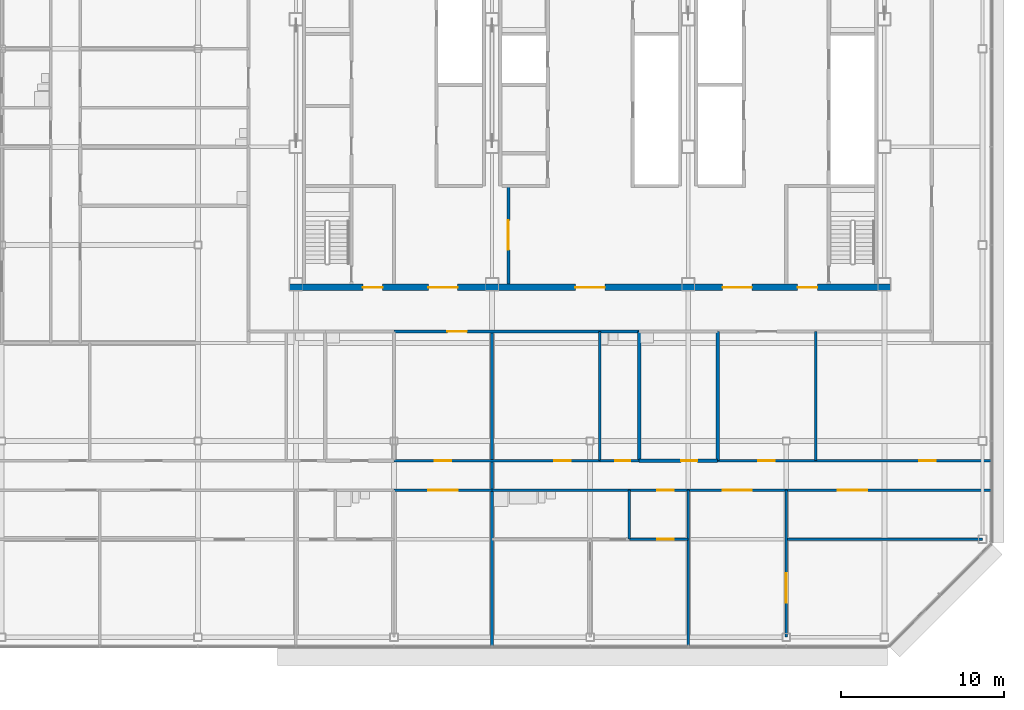
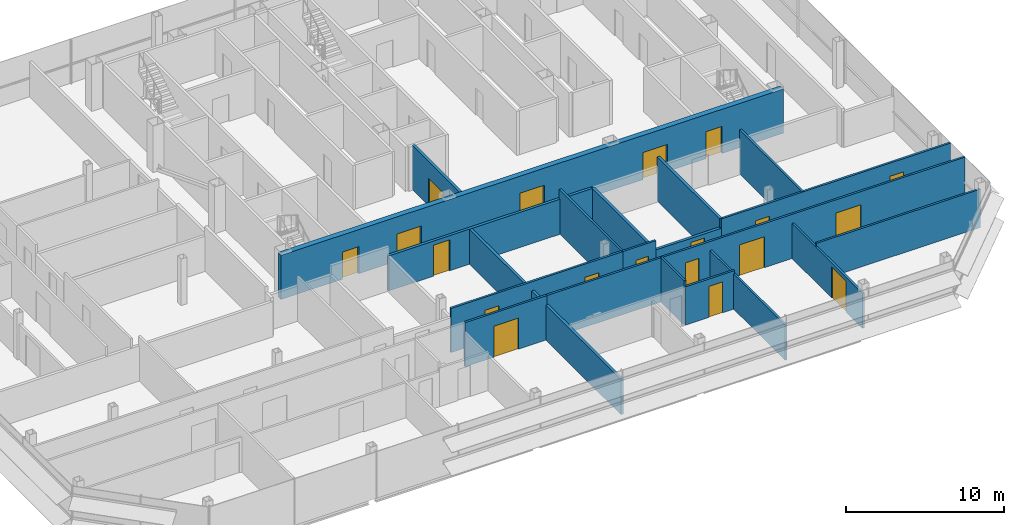
# One storey, part 22 of 27: 20 walls, 19 doors, 19 openings.
"""IFC4 building model written with IfcOpenShell, lengths in metres."""

import ifcopenshell
import ifcopenshell.guid

model = None  # the IFC model being written
_history = None  # IfcOwnerHistory: only IFC2X3 demands one
_inside = {}  # id of a spatial element -> (the spatial element, [elements in it])
_under = {}  # id of a project, library or spatial element -> (it, [spatial elements below it])
_declared = {}  # id of a project -> (the project, [libraries it declares])
_typed = {}  # id of a type object -> (the type object, [elements of that type])
_made_of = {}  # id of a material, layer set ... -> (it, [elements and type objects made of it])


def new_model(schema):
    """Start an empty IFC model of exactly this schema.

    Asked for "IFC4X3", IfcOpenShell would pick the latest addendum, in which some entities
    have other attributes; the version numbers below select the first issue.
    IFC2X3 requires an IfcOwnerHistory on every rooted entity: one is made here for all.
    """
    global model, _history
    if schema == "IFC4X3":
        model = ifcopenshell.file(schema_version=(4, 3, 0, 0))
    else:
        model = ifcopenshell.file(schema=schema)
    _inside.clear()
    _under.clear()
    _declared.clear()
    _typed.clear()
    _made_of.clear()
    _history = None
    if model.schema == "IFC2X3":
        org = make("IfcOrganization", Name="unknown")
        user = make(
            "IfcPersonAndOrganization",
            ThePerson=make("IfcPerson", FamilyName="unknown"),
            TheOrganization=org,
        )
        app = make(
            "IfcApplication",
            ApplicationDeveloper=org,
            Version="unknown",
            ApplicationFullName="unknown",
            ApplicationIdentifier="unknown",
        )
        _history = make(
            "IfcOwnerHistory",
            OwningUser=user,
            OwningApplication=app,
            ChangeAction="ADDED",
            CreationDate=0,
        )
    return model


def make(cls, **values):
    """One entity of the class cls with the attributes given. An attribute that is None is left unset."""
    return model.create_entity(
        cls, **{name: value for name, value in values.items() if value is not None}
    )


def rooted(cls, **values):
    """An entity with a GlobalId (a new one), such as an element, a storey or a relation."""
    return make(cls, GlobalId=ifcopenshell.guid.new(), OwnerHistory=_history, **values)


def si_unit(unit_type, name, prefix=None):
    """IfcSIUnit, for example si_unit("LENGTHUNIT", "METRE", prefix="MILLI")."""
    return make("IfcSIUnit", UnitType=unit_type, Prefix=prefix, Name=name)


def assignment(units):
    """IfcUnitAssignment: the units of a project."""
    return None if units is None else make("IfcUnitAssignment", Units=units)


def point(xyz):
    """IfcCartesianPoint."""
    return None if xyz is None else make("IfcCartesianPoint", Coordinates=xyz)


def direction(xyz):
    """IfcDirection."""
    return None if xyz is None else make("IfcDirection", DirectionRatios=xyz)


def frame(location, z_axis=None, x_axis=None):
    """IfcAxis2Placement3D, a coordinate frame: its origin and axes. An axis left out is left unset."""
    return make(
        "IfcAxis2Placement3D",
        Location=point(location),
        Axis=direction(z_axis),
        RefDirection=direction(x_axis),
    )


def frame_2d(location, x_axis=None):
    """IfcAxis2Placement2D, a coordinate frame in the plane: its origin and x axis."""
    return make(
        "IfcAxis2Placement2D", Location=point(location), RefDirection=direction(x_axis)
    )


def origin():
    """The frame at (0, 0, 0) with its axes left unset."""
    return frame((0.0, 0.0, 0.0))


def place(relative_to, where):
    """IfcLocalPlacement: puts the frame where relative to a parent placement (None: the world)."""
    return make(
        "IfcLocalPlacement", PlacementRelTo=relative_to, RelativePlacement=where
    )


def context(
    kind, dimensions, precision=None, world=None, true_north=None, identifier=None
):
    """IfcGeometricRepresentationContext, for example the 3D "Model" context."""
    return make(
        "IfcGeometricRepresentationContext",
        ContextIdentifier=identifier,
        ContextType=kind,
        CoordinateSpaceDimension=dimensions,
        Precision=precision,
        WorldCoordinateSystem=world,
        TrueNorth=true_north,
    )


def subcontext(parent, identifier, kind, view, scale=None):
    """IfcGeometricRepresentationSubContext, for example "Body" below "Model"."""
    return make(
        "IfcGeometricRepresentationSubContext",
        ContextIdentifier=identifier,
        ContextType=kind,
        ParentContext=parent,
        TargetScale=scale,
        TargetView=view,
    )


def project(units=None, contexts=None):
    """IfcProject with its units and contexts."""
    return rooted(
        "IfcProject",
        Name="project",
        RepresentationContexts=contexts,
        UnitsInContext=assignment(units),
    )


def spatial(cls, under=None, at=None, **own):
    """A site, building, storey or space (cls), placed at a placement, below another one or the project."""
    s = rooted(cls, ObjectPlacement=at, **own)
    if under is not None:
        _under.setdefault(under.id(), (under, []))[1].append(s)
    return s


def profile(cls, at=None, kind="AREA", **sizes):
    """A parametric profile (cls). Its sizes go by their IFC names, for example OverallWidth=200.0."""
    return make(cls, ProfileType=kind, Position=at, **sizes)


def rectangle(**sizes):
    """IfcRectangleProfileDef."""
    return profile("IfcRectangleProfileDef", **sizes)


def extrude(swept, where, along, depth):
    """IfcExtrudedAreaSolid: the profile swept, set in the frame where, extruded along a direction by depth."""
    return make(
        "IfcExtrudedAreaSolid",
        SweptArea=swept,
        Position=where,
        ExtrudedDirection=direction(along),
        Depth=depth,
    )


def shape(context_of_items, identifier, shape_type, items):
    """IfcShapeRepresentation: the items that make up one representation, for example the "Body"."""
    return make(
        "IfcShapeRepresentation",
        ContextOfItems=context_of_items,
        RepresentationIdentifier=identifier,
        RepresentationType=shape_type,
        Items=items,
    )


def material(Name=None, Category=None):
    """IfcMaterial."""
    return make("IfcMaterial", Name=Name, Category=Category)


def layer(
    of_material, thickness, ventilated=None, Name=None, Category=None, Priority=None
):
    """IfcMaterialLayer: one layer of a wall or slab, of a material (None: an air gap)."""
    return make(
        "IfcMaterialLayer",
        Material=of_material,
        LayerThickness=thickness,
        IsVentilated=ventilated,
        Name=Name,
        Category=Category,
        Priority=Priority,
    )


def layer_set(layers, Name=None):
    """IfcMaterialLayerSet."""
    return make("IfcMaterialLayerSet", MaterialLayers=layers, LayerSetName=Name)


def made_of(thing, what):
    """Note that an element or type object is made of a material, layer set ...; save() writes the relation."""
    if what is not None:
        _made_of.setdefault(what.id(), (what, []))[1].append(thing)
    return thing


def type_object(cls, material=None, **own):
    """A type object (cls), such as IfcWallType, which elements share."""
    return made_of(rooted(cls, **own), material)


def element(
    cls,
    number,
    at=None,
    inside=None,
    cuts=None,
    type_object=None,
    material=None,
    context=None,
    identifier="Body",
    shape_type=None,
    held_by="IfcProductDefinitionShape",
    body=None,
    shapes=None,
    **own,
):
    """One element of the class cls, such as IfcWall. Its Tag is "e" and its number.

    at: its placement. inside: the storey or other place that contains it. cuts: it is an
    opening in that element (IfcRelVoidsElement). A single representation is given by context,
    identifier, shape_type and body (its items); several are given by shapes. held_by: the class
    of the entity that holds the representations. save() writes the other relations.
    """
    e = rooted(cls, Tag="e%d" % number, ObjectPlacement=at, **own)
    if body is not None:
        shapes = [shape(context, identifier, shape_type, body)]
    if shapes is not None:
        e.Representation = make(held_by, Representations=shapes)
    if inside is not None:
        _inside.setdefault(inside.id(), (inside, []))[1].append(e)
    if cuts is not None:
        rooted(
            "IfcRelVoidsElement", RelatingBuildingElement=cuts, RelatedOpeningElement=e
        )
    if type_object is not None:
        _typed.setdefault(type_object.id(), (type_object, []))[1].append(e)
    return made_of(e, material)


def fill(opening, filler):
    """IfcRelFillsElement: the door or window that sits in an opening."""
    return rooted(
        "IfcRelFillsElement",
        RelatingOpeningElement=opening,
        RelatedBuildingElement=filler,
    )


def aggregate(whole, parts):
    """IfcRelAggregates: a whole, such as a stair, and the parts it consists of."""
    return rooted("IfcRelAggregates", RelatingObject=whole, RelatedObjects=parts)


def save(model, path):
    """Write the relations noted so far, then the file.

    IfcRelAggregates (storeys below a building ...), IfcRelContainedInSpatialStructure (elements
    in a storey), IfcRelDefinesByType, IfcRelAssociatesMaterial and IfcRelDeclares: one each for
    every whole, place, type object, material and project.
    """
    for whole, parts in _under.values():
        aggregate(whole, parts)
    for where, things in _inside.values():
        rooted(
            "IfcRelContainedInSpatialStructure",
            RelatedElements=things,
            RelatingStructure=where,
        )
    for kind, things in _typed.values():
        rooted("IfcRelDefinesByType", RelatedObjects=things, RelatingType=kind)
    for what, things in _made_of.values():
        rooted("IfcRelAssociatesMaterial", RelatedObjects=things, RelatingMaterial=what)
    for by, libraries in _declared.values():
        rooted("IfcRelDeclares", RelatingContext=by, RelatedDefinitions=libraries)
    model.write(path)


model = new_model("IFC4")

# Units and contexts
model_context = context("Model", 3, precision=1e-05, world=origin(), true_north=direction((0.0, 1.0)))
body_context = subcontext(model_context, "Body", "Model", "MODEL_VIEW")
ifc_project = project(units=[si_unit("LENGTHUNIT", "METRE"), si_unit("AREAUNIT", "SQUARE_METRE"), si_unit("VOLUMEUNIT", "CUBIC_METRE"), si_unit("PLANEANGLEUNIT", "RADIAN"), si_unit("MASSUNIT", "GRAM", prefix="KILO")], contexts=[model_context])

# Site, building, storey
site_placement = place(None, origin())
site = spatial("IfcSite", under=ifc_project, at=site_placement, CompositionType="ELEMENT")
building_placement = place(site_placement, origin())
building = spatial("IfcBuilding", under=site, at=building_placement, Name="Sorahane Residences", CompositionType="ELEMENT")
storey_placement = place(building_placement, frame((0.0, 0.0, 323.199951171875)))
storey = spatial("IfcBuildingStorey", under=building, at=storey_placement, Name="L77", CompositionType="ELEMENT", Elevation=323.199951171875)

# Wall, opening, door
ifc_material_1 = material(Name="Concrete blockwork C20 wall", Category="masonry")
ifc_layer_1 = layer(ifc_material_1, 0.199951171875)
ifc_layer_set_1 = layer_set([ifc_layer_1], Name="Corridor wall 200 EI 120")
wall_type_1 = type_object("IfcWallType", Name="Corridor wall 200 EI 120", PredefinedType="SOLIDWALL", material=ifc_layer_set_1)
wall_1_placement = place(storey_placement, frame((12.0, 18.699951171875, 0.0), z_axis=(0.0, 0.0, 1.0), x_axis=(1.0, 0.0, 0.0)))
wall_1 = element("IfcWall", 1, at=wall_1_placement, inside=storey, type_object=wall_type_1, Name="L77 corridor wall", PredefinedType="SOLIDWALL", context=body_context, shape_type="SweptSolid", body=[
    extrude(rectangle(XDim=15.0, YDim=0.199951171875, at=frame_2d((7.5, 0.0))), origin(), (0.0, 0.0, 1.0), 2.719970703125),
])
opening_1_placement = place(wall_1_placement, frame((3.260009765625, 0.0, 0.0)))
opening_1 = element("IfcOpeningElement", 2, at=opening_1_placement, cuts=wall_1, Name="Opening L77-38", PredefinedType="OPENING", context=body_context, shape_type="SweptSolid", body=[
    extrude(rectangle(XDim=1.199951171875, YDim=2.39990234375, at=frame_2d((0.60009765625, 1.199951171875))), frame((0.0, 0.10986328125, 0.0), z_axis=(0.0, -1.0, 0.0), x_axis=(1.0, 0.0, 0.0)), (0.0, 0.0, 1.0), 0.219970703125),
])
ifc_material_2 = material(Name="Timber veneered fire door", Category="wood")
door_type_1 = type_object("IfcDoorType", Name="Flat entrance door 1200x2400 FD60", OperationType="NOTDEFINED", PredefinedType="DOOR", material=ifc_material_2)
door_1_placement = place(opening_1_placement, frame((1.199951171875, 0.0, 0.0), z_axis=(0.0, 0.0, 1.0), x_axis=(-1.0, 0.0, 0.0)))
door_1 = element("IfcDoor", 3, at=door_1_placement, inside=storey, type_object=door_type_1, Name="Flat entrance door L77-38", OperationType="SINGLE_SWING_LEFT", OverallHeight=2.39990234375, OverallWidth=1.199951171875, PredefinedType="DOOR", context=body_context, shape_type="SweptSolid", body=[
    extrude(rectangle(XDim=1.199951171875, YDim=2.39990234375, at=frame_2d((0.60009765625, 1.199951171875))), frame((0.0, 0.02490234375, 0.0), z_axis=(0.0, -1.0, 0.0), x_axis=(1.0, 0.0, 0.0)), (0.0, 0.0, 1.0), 0.050048828125),
])
fill(opening_1, door_1)

# Walls
ifc_material_3 = material(Name="Concrete blockwork C20 wall", Category="masonry")
ifc_layer_2 = layer(ifc_material_3, 0.199951171875)
ifc_layer_set_2 = layer_set([ifc_layer_2], Name="Kitchen wall 200 EI 180")
wall_type_2 = type_object("IfcWallType", Name="Kitchen wall 200 EI 180", PredefinedType="SOLIDWALL", material=ifc_layer_set_2)
wall_2_placement = place(storey_placement, frame((27.0, 10.800048828125, 0.0), z_axis=(0.0, 0.0, 1.0), x_axis=(0.0, 1.0, 0.0)))
element("IfcWall", 4, at=wall_2_placement, inside=storey, type_object=wall_type_2, Name="L77 kitchen wall", PredefinedType="SOLIDWALL", context=body_context, shape_type="SweptSolid", body=[
    extrude(rectangle(XDim=7.89990234375, YDim=0.199951171875, at=frame_2d((3.949951171875, 0.0))), origin(), (0.0, 0.0, 1.0), 2.719970703125),
])
wall_3_placement = place(storey_placement, frame((31.800048828125, 10.800048828125, 0.0), z_axis=(0.0, 0.0, 1.0), x_axis=(0.0, 1.0, 0.0)))
element("IfcWall", 5, at=wall_3_placement, inside=storey, type_object=wall_type_2, Name="L77 kitchen wall", PredefinedType="SOLIDWALL", context=body_context, shape_type="SweptSolid", body=[
    extrude(rectangle(XDim=7.89990234375, YDim=0.199951171875, at=frame_2d((3.949951171875, 0.0))), origin(), (0.0, 0.0, 1.0), 3.420166015625),
])

# Wall, opening, door
wall_4_placement = place(storey_placement, frame((27.0, 10.800048828125, 0.0), z_axis=(0.0, 0.0, 1.0), x_axis=(1.0, 0.0, 0.0)))
wall_4 = element("IfcWall", 6, at=wall_4_placement, inside=storey, type_object=wall_type_2, Name="L77 kitchen wall", PredefinedType="SOLIDWALL", context=body_context, shape_type="SweptSolid", body=[
    extrude(rectangle(XDim=4.800048828125, YDim=0.199951171875, at=frame_2d((2.39990234375, 0.0))), origin(), (0.0, 0.0, 1.0), 2.719970703125),
])
opening_2_placement = place(wall_4_placement, frame((2.56005859375, 0.0, 0.0)))
opening_2 = element("IfcOpeningElement", 7, at=opening_2_placement, cuts=wall_4, Name="Opening L77-17", PredefinedType="OPENING", context=body_context, shape_type="SweptSolid", body=[
    extrude(rectangle(XDim=1.0, YDim=2.39990234375, at=frame_2d((0.5, 1.199951171875))), frame((0.0, 0.10986328125, 0.0), z_axis=(0.0, -1.0, 0.0), x_axis=(1.0, 0.0, 0.0)), (0.0, 0.0, 1.0), 0.219970703125),
])
ifc_material_4 = material(Name="Steel", Category="steel")
door_type_2 = type_object("IfcDoorType", Name="Kitchen door 1000x2400 FD120", OperationType="NOTDEFINED", PredefinedType="DOOR", material=ifc_material_4)
door_2_placement = place(opening_2_placement, origin())
door_2 = element("IfcDoor", 8, at=door_2_placement, inside=storey, type_object=door_type_2, Name="Kitchen door L77-17", OperationType="SINGLE_SWING_LEFT", OverallHeight=2.39990234375, OverallWidth=1.0, PredefinedType="DOOR", context=body_context, shape_type="SweptSolid", body=[
    extrude(rectangle(XDim=1.0, YDim=2.39990234375, at=frame_2d((0.5, 1.199951171875))), frame((0.0, 0.02490234375, 0.0), z_axis=(0.0, -1.0, 0.0), x_axis=(1.0, 0.0, 0.0)), (0.0, 0.0, 1.0), 0.050048828125),
])
fill(opening_2, door_2)

# Wall
ifc_material_5 = material(Name="Gypsum board partition on steel studs", Category="steel")
ifc_layer_3 = layer(ifc_material_5, 0.14990234375)
ifc_layer_set_3 = layer_set([ifc_layer_3], Name="Partition 150 EI 90")
wall_type_3 = type_object("IfcWallType", Name="Partition 150 EI 90", PredefinedType="PARTITIONING", material=ifc_layer_set_3)
wall_5_placement = place(storey_placement, frame((30.0, -0.60009765625, 0.0), z_axis=(0.0, 0.0, 1.0), x_axis=(0.0, 1.0, 0.0)))
element("IfcWall", 9, at=wall_5_placement, inside=storey, type_object=wall_type_3, Name="L77 partition", PredefinedType="PARTITIONING", context=body_context, shape_type="SweptSolid", body=[
    extrude(rectangle(XDim=9.60009765625, YDim=0.14990234375, at=frame_2d((4.800048828125, 0.0))), origin(), (0.0, 0.0, 1.0), 2.719970703125),
])

# Wall, opening, door
wall_6_placement = place(storey_placement, frame((36.0, 0.0, 0.0), z_axis=(0.0, 0.0, 1.0), x_axis=(0.0, 1.0, 0.0)))
wall_6 = element("IfcWall", 10, at=wall_6_placement, inside=storey, type_object=wall_type_3, Name="L77 partition", PredefinedType="PARTITIONING", context=body_context, shape_type="SweptSolid", body=[
    extrude(rectangle(XDim=9.0, YDim=0.14990234375, at=frame_2d((4.5, 0.0))), origin(), (0.0, 0.0, 1.0), 2.719970703125),
])
opening_3_placement = place(wall_6_placement, frame((2.10009765625, 0.0, 0.0)))
opening_3 = element("IfcOpeningElement", 11, at=opening_3_placement, cuts=wall_6, Name="Opening L77-21", PredefinedType="OPENING", context=body_context, shape_type="SweptSolid", body=[
    extrude(rectangle(XDim=1.800048828125, YDim=2.39990234375, at=frame_2d((0.89990234375, 1.199951171875))), frame((0.0, 0.0849609375, 0.0), z_axis=(0.0, -1.0, 0.0), x_axis=(1.0, 0.0, 0.0)), (0.0, 0.0, 1.0), 0.169921875),
])
ifc_material_6 = material(Name="Timber veneered fire door", Category="wood")
door_type_3 = type_object("IfcDoorType", Name="Double door 1800x2400 FD30", OperationType="NOTDEFINED", PredefinedType="DOOR", material=ifc_material_6)
door_3_placement = place(opening_3_placement, frame((1.800048828125, 0.0, 0.0), z_axis=(0.0, 0.0, 1.0), x_axis=(-1.0, 0.0, 0.0)))
door_3 = element("IfcDoor", 12, at=door_3_placement, inside=storey, type_object=door_type_3, Name="Double door L77-21", OperationType="SINGLE_SWING_RIGHT", OverallHeight=2.39990234375, OverallWidth=1.800048828125, PredefinedType="DOOR", context=body_context, shape_type="SweptSolid", body=[
    extrude(rectangle(XDim=1.800048828125, YDim=2.39990234375, at=frame_2d((0.89990234375, 1.199951171875))), frame((0.0, 0.02490234375, 0.0), z_axis=(0.0, -1.0, 0.0), x_axis=(1.0, 0.0, 0.0)), (0.0, 0.0, 1.0), 0.050048828125),
])
fill(opening_3, door_3)

# Wall
wall_7_placement = place(storey_placement, frame((37.800048828125, 10.800048828125, 0.0), z_axis=(0.0, 0.0, 1.0), x_axis=(0.0, 1.0, 0.0)))
element("IfcWall", 13, at=wall_7_placement, inside=storey, type_object=wall_type_3, Name="L77 partition", PredefinedType="PARTITIONING", context=body_context, shape_type="SweptSolid", body=[
    extrude(rectangle(XDim=7.89990234375, YDim=0.14990234375, at=frame_2d((3.949951171875, 0.0))), origin(), (0.0, 0.0, 1.0), 3.420166015625),
])

# Wall, openings, doors
wall_8_placement = place(storey_placement, frame((12.0, 10.800048828125, 0.0), z_axis=(0.0, 0.0, 1.0), x_axis=(1.0, 0.0, 0.0)))
wall_8 = element("IfcWall", 14, at=wall_8_placement, inside=storey, type_object=wall_type_3, Name="L77 partition", PredefinedType="PARTITIONING", context=body_context, shape_type="SweptSolid", body=[
    extrude(rectangle(XDim=12.60009765625, YDim=0.14990234375, at=frame_2d((6.300048828125, 0.0))), origin(), (0.0, 0.0, 1.0), 3.420166015625),
])
opening_4_placement = place(wall_8_placement, frame((2.5, 0.0, 0.0)))
opening_4 = element("IfcOpeningElement", 15, at=opening_4_placement, cuts=wall_8, Name="Opening L77-01", PredefinedType="OPENING", context=body_context, shape_type="SweptSolid", body=[
    extrude(rectangle(XDim=1.0, YDim=2.39990234375, at=frame_2d((0.5, 1.199951171875))), frame((0.0, 0.0849609375, 0.0), z_axis=(0.0, -1.0, 0.0), x_axis=(1.0, 0.0, 0.0)), (0.0, 0.0, 1.0), 0.169921875),
])
opening_5_placement = place(wall_8_placement, frame((9.820068359375, 0.0, 0.0)))
opening_5 = element("IfcOpeningElement", 16, at=opening_5_placement, cuts=wall_8, Name="Opening L77-15", PredefinedType="OPENING", context=body_context, shape_type="SweptSolid", body=[
    extrude(rectangle(XDim=1.0, YDim=2.39990234375, at=frame_2d((0.5, 1.199951171875))), frame((0.0, 0.0849609375, 0.0), z_axis=(0.0, -1.0, 0.0), x_axis=(1.0, 0.0, 0.0)), (0.0, 0.0, 1.0), 0.169921875),
])
ifc_material_7 = material(Name="Timber veneered fire door", Category="wood")
door_type_4 = type_object("IfcDoorType", Name="Room door 1000x2400 FD30", OperationType="NOTDEFINED", PredefinedType="DOOR", material=ifc_material_7)
door_4_placement = place(opening_4_placement, frame((1.0, 0.0, 0.0), z_axis=(0.0, 0.0, 1.0), x_axis=(-1.0, 0.0, 0.0)))
door_4 = element("IfcDoor", 17, at=door_4_placement, inside=storey, type_object=door_type_4, Name="Room door L77-01", OperationType="SINGLE_SWING_LEFT", OverallHeight=2.39990234375, OverallWidth=1.0, PredefinedType="DOOR", context=body_context, shape_type="SweptSolid", body=[
    extrude(rectangle(XDim=1.0, YDim=2.39990234375, at=frame_2d((0.5, 1.199951171875))), frame((0.0, 0.02490234375, 0.0), z_axis=(0.0, -1.0, 0.0), x_axis=(1.0, 0.0, 0.0)), (0.0, 0.0, 1.0), 0.050048828125),
])
fill(opening_4, door_4)
door_5_placement = place(opening_5_placement, origin())
door_5 = element("IfcDoor", 18, at=door_5_placement, inside=storey, type_object=door_type_4, Name="Room door L77-15", OperationType="SINGLE_SWING_LEFT", OverallHeight=2.39990234375, OverallWidth=1.0, PredefinedType="DOOR", context=body_context, shape_type="SweptSolid", body=[
    extrude(rectangle(XDim=1.0, YDim=2.39990234375, at=frame_2d((0.5, 1.199951171875))), frame((0.0, 0.02490234375, 0.0), z_axis=(0.0, -1.0, 0.0), x_axis=(1.0, 0.0, 0.0)), (0.0, 0.0, 1.0), 0.050048828125),
])
fill(opening_5, door_5)

wall_9_placement = place(storey_placement, frame((31.800048828125, 10.800048828125, 0.0), z_axis=(0.0, 0.0, 1.0), x_axis=(1.0, 0.0, 0.0)))
wall_9 = element("IfcWall", 19, at=wall_9_placement, inside=storey, type_object=wall_type_3, Name="L77 partition", PredefinedType="PARTITIONING", context=body_context, shape_type="SweptSolid", body=[
    extrude(rectangle(XDim=16.800048828125, YDim=0.14990234375, at=frame_2d((8.39990234375, 0.0))), origin(), (0.0, 0.0, 1.0), 3.420166015625),
])
opening_6_placement = place(wall_9_placement, frame((2.5, 0.0, 0.0)))
opening_6 = element("IfcOpeningElement", 20, at=opening_6_placement, cuts=wall_9, Name="Opening L77-14", PredefinedType="OPENING", context=body_context, shape_type="SweptSolid", body=[
    extrude(rectangle(XDim=1.0, YDim=2.39990234375, at=frame_2d((0.5, 1.199951171875))), frame((0.0, 0.0849609375, 0.0), z_axis=(0.0, -1.0, 0.0), x_axis=(1.0, 0.0, 0.0)), (0.0, 0.0, 1.0), 0.169921875),
])
opening_7_placement = place(wall_9_placement, frame((12.340087890625, 0.0, 0.0)))
opening_7 = element("IfcOpeningElement", 21, at=opening_7_placement, cuts=wall_9, Name="Opening L77-18", PredefinedType="OPENING", context=body_context, shape_type="SweptSolid", body=[
    extrude(rectangle(XDim=1.0, YDim=2.39990234375, at=frame_2d((0.5, 1.199951171875))), frame((0.0, 0.0849609375, 0.0), z_axis=(0.0, -1.0, 0.0), x_axis=(1.0, 0.0, 0.0)), (0.0, 0.0, 1.0), 0.169921875),
])
door_6_placement = place(opening_6_placement, frame((1.0, 0.0, 0.0), z_axis=(0.0, 0.0, 1.0), x_axis=(-1.0, 0.0, 0.0)))
door_6 = element("IfcDoor", 22, at=door_6_placement, inside=storey, type_object=door_type_4, Name="Room door L77-14", OperationType="SINGLE_SWING_LEFT", OverallHeight=2.39990234375, OverallWidth=1.0, PredefinedType="DOOR", context=body_context, shape_type="SweptSolid", body=[
    extrude(rectangle(XDim=1.0, YDim=2.39990234375, at=frame_2d((0.5, 1.199951171875))), frame((0.0, 0.02490234375, 0.0), z_axis=(0.0, -1.0, 0.0), x_axis=(1.0, 0.0, 0.0)), (0.0, 0.0, 1.0), 0.050048828125),
])
fill(opening_6, door_6)
door_7_placement = place(opening_7_placement, origin())
door_7 = element("IfcDoor", 23, at=door_7_placement, inside=storey, type_object=door_type_4, Name="Room door L77-18", OperationType="SINGLE_SWING_RIGHT", OverallHeight=2.39990234375, OverallWidth=1.0, PredefinedType="DOOR", context=body_context, shape_type="SweptSolid", body=[
    extrude(rectangle(XDim=1.0, YDim=2.39990234375, at=frame_2d((0.5, 1.199951171875))), frame((0.0, 0.02490234375, 0.0), z_axis=(0.0, -1.0, 0.0), x_axis=(1.0, 0.0, 0.0)), (0.0, 0.0, 1.0), 0.050048828125),
])
fill(opening_7, door_7)

# Wall, opening, door
wall_10_placement = place(storey_placement, frame((26.39990234375, 6.0, 0.0), z_axis=(0.0, 0.0, 1.0), x_axis=(1.0, 0.0, 0.0)))
wall_10 = element("IfcWall", 24, at=wall_10_placement, inside=storey, type_object=wall_type_3, Name="L77 partition", PredefinedType="PARTITIONING", context=body_context, shape_type="SweptSolid", body=[
    extrude(rectangle(XDim=3.60009765625, YDim=0.14990234375, at=frame_2d((1.800048828125, 0.0))), origin(), (0.0, 0.0, 1.0), 2.969970703125),
])
opening_8_placement = place(wall_10_placement, frame((1.719970703125, 0.0, 0.0)))
opening_8 = element("IfcOpeningElement", 25, at=opening_8_placement, cuts=wall_10, Name="Opening L77-23", PredefinedType="OPENING", context=body_context, shape_type="SweptSolid", body=[
    extrude(rectangle(XDim=1.0, YDim=2.39990234375, at=frame_2d((0.5, 1.199951171875))), frame((0.0, 0.0849609375, 0.0), z_axis=(0.0, -1.0, 0.0), x_axis=(1.0, 0.0, 0.0)), (0.0, 0.0, 1.0), 0.169921875),
])
door_8_placement = place(opening_8_placement, frame((1.0, 0.0, 0.0), z_axis=(0.0, 0.0, 1.0), x_axis=(-1.0, 0.0, 0.0)))
door_8 = element("IfcDoor", 26, at=door_8_placement, inside=storey, type_object=door_type_4, Name="Room door L77-23", OperationType="SINGLE_SWING_LEFT", OverallHeight=2.39990234375, OverallWidth=1.0, PredefinedType="DOOR", context=body_context, shape_type="SweptSolid", body=[
    extrude(rectangle(XDim=1.0, YDim=2.39990234375, at=frame_2d((0.5, 1.199951171875))), frame((0.0, 0.02490234375, 0.0), z_axis=(0.0, -1.0, 0.0), x_axis=(1.0, 0.0, 0.0)), (0.0, 0.0, 1.0), 0.050048828125),
])
fill(opening_8, door_8)

# Wall
wall_11_placement = place(storey_placement, frame((36.0, 6.0, 0.0), z_axis=(0.0, 0.0, 1.0), x_axis=(1.0, 0.0, 0.0)))
element("IfcWall", 27, at=wall_11_placement, inside=storey, type_object=wall_type_3, Name="L77 partition", PredefinedType="PARTITIONING", context=body_context, shape_type="SweptSolid", body=[
    extrude(rectangle(XDim=12.0, YDim=0.14990234375, at=frame_2d((6.0, 0.0))), origin(), (0.0, 0.0, 1.0), 2.969970703125),
])

# Wall, opening, door
wall_12_placement = place(storey_placement, frame((12.0, 9.0, 0.0), z_axis=(0.0, 0.0, 1.0), x_axis=(1.0, 0.0, 0.0)))
wall_12 = element("IfcWall", 28, at=wall_12_placement, inside=storey, type_object=wall_type_3, Name="L77 partition", PredefinedType="PARTITIONING", context=body_context, shape_type="SweptSolid", body=[
    extrude(rectangle(XDim=6.0, YDim=0.14990234375, at=frame_2d((3.0, 0.0))), origin(), (0.0, 0.0, 1.0), 3.420166015625),
])
opening_9_placement = place(wall_12_placement, frame((2.10009765625, 0.0, 0.0)))
opening_9 = element("IfcOpeningElement", 29, at=opening_9_placement, cuts=wall_12, Name="Opening L77-09", PredefinedType="OPENING", context=body_context, shape_type="SweptSolid", body=[
    extrude(rectangle(XDim=1.800048828125, YDim=2.39990234375, at=frame_2d((0.89990234375, 1.199951171875))), frame((0.0, 0.0849609375, 0.0), z_axis=(0.0, -1.0, 0.0), x_axis=(1.0, 0.0, 0.0)), (0.0, 0.0, 1.0), 0.169921875),
])
door_9_placement = place(opening_9_placement, frame((1.800048828125, 0.0, 0.0), z_axis=(0.0, 0.0, 1.0), x_axis=(-1.0, 0.0, 0.0)))
door_9 = element("IfcDoor", 30, at=door_9_placement, inside=storey, type_object=door_type_3, Name="Double door L77-09", OperationType="SINGLE_SWING_RIGHT", OverallHeight=2.39990234375, OverallWidth=1.800048828125, PredefinedType="DOOR", context=body_context, shape_type="SweptSolid", body=[
    extrude(rectangle(XDim=1.800048828125, YDim=2.39990234375, at=frame_2d((0.89990234375, 1.199951171875))), frame((0.0, 0.02490234375, 0.0), z_axis=(0.0, -1.0, 0.0), x_axis=(1.0, 0.0, 0.0)), (0.0, 0.0, 1.0), 0.050048828125),
])
fill(opening_9, door_9)

# Wall, openings, doors
wall_13_placement = place(storey_placement, frame((26.39990234375, 9.0, 0.0), z_axis=(0.0, 0.0, 1.0), x_axis=(1.0, 0.0, 0.0)))
wall_13 = element("IfcWall", 31, at=wall_13_placement, inside=storey, type_object=wall_type_3, Name="L77 partition", PredefinedType="PARTITIONING", context=body_context, shape_type="SweptSolid", body=[
    extrude(rectangle(XDim=22.2001953125, YDim=0.14990234375, at=frame_2d((11.10009765625, 0.0))), origin(), (0.0, 0.0, 1.0), 3.420166015625),
])
opening_10_placement = place(wall_13_placement, frame((1.719970703125, 0.0, 0.0)))
opening_10 = element("IfcOpeningElement", 32, at=opening_10_placement, cuts=wall_13, Name="Opening L77-19", PredefinedType="OPENING", context=body_context, shape_type="SweptSolid", body=[
    extrude(rectangle(XDim=1.0, YDim=2.39990234375, at=frame_2d((0.5, 1.199951171875))), frame((0.0, 0.0849609375, 0.0), z_axis=(0.0, -1.0, 0.0), x_axis=(1.0, 0.0, 0.0)), (0.0, 0.0, 1.0), 0.169921875),
])
opening_11_placement = place(wall_13_placement, frame((5.699951171875, 0.0, 0.0)))
opening_11 = element("IfcOpeningElement", 33, at=opening_11_placement, cuts=wall_13, Name="Opening L77-20", PredefinedType="OPENING", context=body_context, shape_type="SweptSolid", body=[
    extrude(rectangle(XDim=1.800048828125, YDim=2.39990234375, at=frame_2d((0.89990234375, 1.199951171875))), frame((0.0, 0.0849609375, 0.0), z_axis=(0.0, -1.0, 0.0), x_axis=(1.0, 0.0, 0.0)), (0.0, 0.0, 1.0), 0.169921875),
])
opening_12_placement = place(wall_13_placement, frame((12.760009765625, 0.0, 0.0)))
opening_12 = element("IfcOpeningElement", 34, at=opening_12_placement, cuts=wall_13, Name="Opening L77-22", PredefinedType="OPENING", context=body_context, shape_type="SweptSolid", body=[
    extrude(rectangle(XDim=1.800048828125, YDim=2.39990234375, at=frame_2d((0.89990234375, 1.199951171875))), frame((0.0, 0.0849609375, 0.0), z_axis=(0.0, -1.0, 0.0), x_axis=(1.0, 0.0, 0.0)), (0.0, 0.0, 1.0), 0.169921875),
])
door_10_placement = place(opening_11_placement, frame((1.800048828125, 0.0, 0.0), z_axis=(0.0, 0.0, 1.0), x_axis=(-1.0, 0.0, 0.0)))
door_10 = element("IfcDoor", 35, at=door_10_placement, inside=storey, type_object=door_type_3, Name="Double door L77-20", OperationType="SINGLE_SWING_RIGHT", OverallHeight=2.39990234375, OverallWidth=1.800048828125, PredefinedType="DOOR", context=body_context, shape_type="SweptSolid", body=[
    extrude(rectangle(XDim=1.800048828125, YDim=2.39990234375, at=frame_2d((0.89990234375, 1.199951171875))), frame((0.0, 0.02490234375, 0.0), z_axis=(0.0, -1.0, 0.0), x_axis=(1.0, 0.0, 0.0)), (0.0, 0.0, 1.0), 0.050048828125),
])
fill(opening_11, door_10)
door_11_placement = place(opening_12_placement, frame((1.800048828125, 0.0, 0.0), z_axis=(0.0, 0.0, 1.0), x_axis=(-1.0, 0.0, 0.0)))
door_11 = element("IfcDoor", 36, at=door_11_placement, inside=storey, type_object=door_type_3, Name="Double door L77-22", OperationType="SINGLE_SWING_RIGHT", OverallHeight=2.39990234375, OverallWidth=1.800048828125, PredefinedType="DOOR", context=body_context, shape_type="SweptSolid", body=[
    extrude(rectangle(XDim=1.800048828125, YDim=2.39990234375, at=frame_2d((0.89990234375, 1.199951171875))), frame((0.0, 0.02490234375, 0.0), z_axis=(0.0, -1.0, 0.0), x_axis=(1.0, 0.0, 0.0)), (0.0, 0.0, 1.0), 0.050048828125),
])
fill(opening_12, door_11)
door_12_placement = place(opening_10_placement, frame((1.0, 0.0, 0.0), z_axis=(0.0, 0.0, 1.0), x_axis=(-1.0, 0.0, 0.0)))
door_12 = element("IfcDoor", 37, at=door_12_placement, inside=storey, type_object=door_type_4, Name="Room door L77-19", OperationType="SINGLE_SWING_LEFT", OverallHeight=2.39990234375, OverallWidth=1.0, PredefinedType="DOOR", context=body_context, shape_type="SweptSolid", body=[
    extrude(rectangle(XDim=1.0, YDim=2.39990234375, at=frame_2d((0.5, 1.199951171875))), frame((0.0, 0.02490234375, 0.0), z_axis=(0.0, -1.0, 0.0), x_axis=(1.0, 0.0, 0.0)), (0.0, 0.0, 1.0), 0.050048828125),
])
fill(opening_10, door_12)

# Wall
ifc_material_8 = material(Name="Concrete blockwork C20 wall", Category="masonry")
ifc_layer_4 = layer(ifc_material_8, 0.199951171875)
ifc_layer_set_4 = layer_set([ifc_layer_4], Name="Party wall 200 EI 120")
wall_type_4 = type_object("IfcWallType", Name="Party wall 200 EI 120", PredefinedType="SOLIDWALL", material=ifc_layer_set_4)
wall_14_placement = place(storey_placement, frame((18.0, -0.60009765625, 0.0), z_axis=(0.0, 0.0, 1.0), x_axis=(0.0, 1.0, 0.0)))
element("IfcWall", 38, at=wall_14_placement, inside=storey, type_object=wall_type_4, Name="L77 party wall", PredefinedType="SOLIDWALL", context=body_context, shape_type="SweptSolid", body=[
    extrude(rectangle(XDim=19.300048828125, YDim=0.199951171875, at=frame_2d((9.64990234375, 0.0))), origin(), (0.0, 0.0, 1.0), 2.719970703125),
])

# Wall, opening, door
ifc_material_9 = material(Name="Concrete C30", Category="concrete")
ifc_layer_5 = layer(ifc_material_9, 0.199951171875)
ifc_layer_set_5 = layer_set([ifc_layer_5], Name="Service room partition 200 EI 60")
wall_type_5 = type_object("IfcWallType", Name="Service room partition 200 EI 60", PredefinedType="PARTITIONING", material=ifc_layer_set_5)
wall_15_placement = place(storey_placement, frame((19.0, 21.60009765625, 0.0), z_axis=(0.0, 0.0, 1.0), x_axis=(0.0, 1.0, 0.0)))
wall_15 = element("IfcWall", 39, at=wall_15_placement, inside=storey, type_object=wall_type_5, Name="L77 service room wall", PredefinedType="PARTITIONING", context=body_context, shape_type="SweptSolid", body=[
    extrude(rectangle(XDim=6.0, YDim=0.199951171875, at=frame_2d((3.0, 0.0))), origin(), (0.0, 0.0, 1.0), 3.420166015625),
])
opening_13_placement = place(wall_15_placement, frame((2.10009765625, 0.0, 0.0)))
opening_13 = element("IfcOpeningElement", 40, at=opening_13_placement, cuts=wall_15, Name="Opening L77-C02", PredefinedType="OPENING", context=body_context, shape_type="SweptSolid", body=[
    extrude(rectangle(XDim=1.800048828125, YDim=2.10009765625, at=frame_2d((0.89990234375, 1.050048828125))), frame((0.0, 0.10986328125, 0.0), z_axis=(0.0, -1.0, 0.0), x_axis=(1.0, 0.0, 0.0)), (0.0, 0.0, 1.0), 0.219970703125),
])
ifc_material_10 = material(Name="Steel", Category="steel")
door_type_5 = type_object("IfcDoorType", Name="Waiting hall door 1800x2100 FD60", OperationType="NOTDEFINED", PredefinedType="DOOR", material=ifc_material_10)
door_13_placement = place(opening_13_placement, origin())
door_13 = element("IfcDoor", 41, at=door_13_placement, inside=storey, type_object=door_type_5, Name="Waiting hall door Residents' waiting hall west L77", OperationType="SINGLE_SWING_LEFT", OverallHeight=2.10009765625, OverallWidth=1.800048828125, PredefinedType="DOOR", context=body_context, shape_type="SweptSolid", body=[
    extrude(rectangle(XDim=1.800048828125, YDim=2.10009765625, at=frame_2d((0.89990234375, 1.050048828125))), frame((0.0, 0.02490234375, 0.0), z_axis=(0.0, -1.0, 0.0), x_axis=(1.0, 0.0, 0.0)), (0.0, 0.0, 1.0), 0.050048828125),
])
fill(opening_13, door_13)

# Wall, openings, doors
ifc_material_11 = material(Name="Concrete C30", Category="concrete")
ifc_layer_6 = layer(ifc_material_11, 0.39990234375)
ifc_layer_set_6 = layer_set([ifc_layer_6], Name="Waiting hall wall 400 EI 120")
wall_type_6 = type_object("IfcWallType", Name="Waiting hall wall 400 EI 120", PredefinedType="SOLIDWALL", material=ifc_layer_set_6)
wall_16_placement = place(storey_placement, frame((5.60009765625, 21.39990234375, 0.0), z_axis=(0.0, 0.0, 1.0), x_axis=(1.0, 0.0, 0.0)))
wall_16 = element("IfcWall", 42, at=wall_16_placement, inside=storey, type_object=wall_type_6, Name="L77 waiting hall wall", PredefinedType="SOLIDWALL", context=body_context, shape_type="SweptSolid", body=[
    extrude(rectangle(XDim=36.7998046875, YDim=0.39990234375, at=frame_2d((18.39990234375, 0.0))), origin(), (0.0, 0.0, 1.0), 3.420166015625),
])
opening_14_placement = place(wall_16_placement, frame((8.5, 0.0, 0.0)))
opening_14 = element("IfcOpeningElement", 43, at=opening_14_placement, cuts=wall_16, Name="Opening L77-C01", PredefinedType="OPENING", context=body_context, shape_type="SweptSolid", body=[
    extrude(rectangle(XDim=1.800048828125, YDim=2.10009765625, at=frame_2d((0.89990234375, 1.050048828125))), frame((0.0, 0.2099609375, 0.0), z_axis=(0.0, -1.0, 0.0), x_axis=(1.0, 0.0, 0.0)), (0.0, 0.0, 1.0), 0.419921875),
])
opening_15_placement = place(wall_16_placement, frame((17.5, 0.0, 0.0)))
opening_15 = element("IfcOpeningElement", 44, at=opening_15_placement, cuts=wall_16, Name="Opening L77-C03", PredefinedType="OPENING", context=body_context, shape_type="SweptSolid", body=[
    extrude(rectangle(XDim=1.800048828125, YDim=2.10009765625, at=frame_2d((0.89990234375, 1.050048828125))), frame((0.0, 0.2099609375, 0.0), z_axis=(0.0, -1.0, 0.0), x_axis=(1.0, 0.0, 0.0)), (0.0, 0.0, 1.0), 0.419921875),
])
opening_16_placement = place(wall_16_placement, frame((26.5, 0.0, 0.0)))
opening_16 = element("IfcOpeningElement", 45, at=opening_16_placement, cuts=wall_16, Name="Opening L77-C04", PredefinedType="OPENING", context=body_context, shape_type="SweptSolid", body=[
    extrude(rectangle(XDim=1.800048828125, YDim=2.10009765625, at=frame_2d((0.89990234375, 1.050048828125))), frame((0.0, 0.2099609375, 0.0), z_axis=(0.0, -1.0, 0.0), x_axis=(1.0, 0.0, 0.0)), (0.0, 0.0, 1.0), 0.419921875),
])
opening_17_placement = place(wall_16_placement, frame((4.5, 0.0, 0.0)))
opening_17 = element("IfcOpeningElement", 46, at=opening_17_placement, cuts=wall_16, Name="Opening L77-C05", PredefinedType="OPENING", context=body_context, shape_type="SweptSolid", body=[
    extrude(rectangle(XDim=1.199951171875, YDim=2.10009765625, at=frame_2d((0.60009765625, 1.050048828125))), frame((0.0, 0.2099609375, 0.0), z_axis=(0.0, -1.0, 0.0), x_axis=(1.0, 0.0, 0.0)), (0.0, 0.0, 1.0), 0.419921875),
])
opening_18_placement = place(wall_16_placement, frame((31.10009765625, 0.0, 0.0)))
opening_18 = element("IfcOpeningElement", 47, at=opening_18_placement, cuts=wall_16, Name="Opening L77-C06", PredefinedType="OPENING", context=body_context, shape_type="SweptSolid", body=[
    extrude(rectangle(XDim=1.199951171875, YDim=2.10009765625, at=frame_2d((0.60009765625, 1.050048828125))), frame((0.0, 0.2099609375, 0.0), z_axis=(0.0, -1.0, 0.0), x_axis=(1.0, 0.0, 0.0)), (0.0, 0.0, 1.0), 0.419921875),
])
ifc_material_12 = material(Name="Steel", Category="steel")
door_type_6 = type_object("IfcDoorType", Name="Stair front room door 1200x2100 FD120", OperationType="NOTDEFINED", PredefinedType="DOOR", material=ifc_material_12)
door_14_placement = place(opening_17_placement, frame((1.199951171875, 0.0, 0.0), z_axis=(0.0, 0.0, 1.0), x_axis=(-1.0, 0.0, 0.0)))
door_14 = element("IfcDoor", 48, at=door_14_placement, inside=storey, type_object=door_type_6, Name="Stair front room door Stair S4 front room L77", OperationType="SINGLE_SWING_LEFT", OverallHeight=2.10009765625, OverallWidth=1.199951171875, PredefinedType="DOOR", context=body_context, shape_type="SweptSolid", body=[
    extrude(rectangle(XDim=1.199951171875, YDim=2.10009765625, at=frame_2d((0.60009765625, 1.050048828125))), frame((0.0, 0.02490234375, 0.0), z_axis=(0.0, -1.0, 0.0), x_axis=(1.0, 0.0, 0.0)), (0.0, 0.0, 1.0), 0.050048828125),
])
fill(opening_17, door_14)
door_15_placement = place(opening_18_placement, frame((1.199951171875, 0.0, 0.0), z_axis=(0.0, 0.0, 1.0), x_axis=(-1.0, 0.0, 0.0)))
door_15 = element("IfcDoor", 49, at=door_15_placement, inside=storey, type_object=door_type_6, Name="Stair front room door Stair S5 front room L77", OperationType="SINGLE_SWING_LEFT", OverallHeight=2.10009765625, OverallWidth=1.199951171875, PredefinedType="DOOR", context=body_context, shape_type="SweptSolid", body=[
    extrude(rectangle(XDim=1.199951171875, YDim=2.10009765625, at=frame_2d((0.60009765625, 1.050048828125))), frame((0.0, 0.02490234375, 0.0), z_axis=(0.0, -1.0, 0.0), x_axis=(1.0, 0.0, 0.0)), (0.0, 0.0, 1.0), 0.050048828125),
])
fill(opening_18, door_15)
door_16_placement = place(opening_14_placement, frame((1.800048828125, 0.0, 0.0), z_axis=(0.0, 0.0, 1.0), x_axis=(-1.0, 0.0, 0.0)))
door_16 = element("IfcDoor", 50, at=door_16_placement, inside=storey, type_object=door_type_5, Name="Waiting hall door Residents' waiting hall west L77", OperationType="SINGLE_SWING_LEFT", OverallHeight=2.10009765625, OverallWidth=1.800048828125, PredefinedType="DOOR", context=body_context, shape_type="SweptSolid", body=[
    extrude(rectangle(XDim=1.800048828125, YDim=2.10009765625, at=frame_2d((0.89990234375, 1.050048828125))), frame((0.0, 0.02490234375, 0.0), z_axis=(0.0, -1.0, 0.0), x_axis=(1.0, 0.0, 0.0)), (0.0, 0.0, 1.0), 0.050048828125),
])
fill(opening_14, door_16)
door_17_placement = place(opening_15_placement, frame((1.800048828125, 0.0, 0.0), z_axis=(0.0, 0.0, 1.0), x_axis=(-1.0, 0.0, 0.0)))
door_17 = element("IfcDoor", 51, at=door_17_placement, inside=storey, type_object=door_type_5, Name="Waiting hall door Residents' waiting hall east L77", OperationType="SINGLE_SWING_LEFT", OverallHeight=2.10009765625, OverallWidth=1.800048828125, PredefinedType="DOOR", context=body_context, shape_type="SweptSolid", body=[
    extrude(rectangle(XDim=1.800048828125, YDim=2.10009765625, at=frame_2d((0.89990234375, 1.050048828125))), frame((0.0, 0.02490234375, 0.0), z_axis=(0.0, -1.0, 0.0), x_axis=(1.0, 0.0, 0.0)), (0.0, 0.0, 1.0), 0.050048828125),
])
fill(opening_15, door_17)
door_18_placement = place(opening_16_placement, frame((1.800048828125, 0.0, 0.0), z_axis=(0.0, 0.0, 1.0), x_axis=(-1.0, 0.0, 0.0)))
door_18 = element("IfcDoor", 52, at=door_18_placement, inside=storey, type_object=door_type_5, Name="Waiting hall door Residents' waiting hall east L77", OperationType="SINGLE_SWING_LEFT", OverallHeight=2.10009765625, OverallWidth=1.800048828125, PredefinedType="DOOR", context=body_context, shape_type="SweptSolid", body=[
    extrude(rectangle(XDim=1.800048828125, YDim=2.10009765625, at=frame_2d((0.89990234375, 1.050048828125))), frame((0.0, 0.02490234375, 0.0), z_axis=(0.0, -1.0, 0.0), x_axis=(1.0, 0.0, 0.0)), (0.0, 0.0, 1.0), 0.050048828125),
])
fill(opening_16, door_18)

# Walls
ifc_material_13 = material(Name="Gypsum board partition on steel studs", Category="steel")
ifc_layer_7 = layer(ifc_material_13, 0.14990234375)
ifc_layer_set_7 = layer_set([ifc_layer_7], Name="Wet wall 150 EI 90")
wall_type_7 = type_object("IfcWallType", Name="Wet wall 150 EI 90", PredefinedType="PARTITIONING", material=ifc_layer_set_7)
wall_17_placement = place(storey_placement, frame((24.60009765625, 10.800048828125, 0.0), z_axis=(0.0, 0.0, 1.0), x_axis=(0.0, 1.0, 0.0)))
element("IfcWall", 53, at=wall_17_placement, inside=storey, type_object=wall_type_7, Name="L77 wet wall", PredefinedType="PARTITIONING", context=body_context, shape_type="SweptSolid", body=[
    extrude(rectangle(XDim=7.89990234375, YDim=0.14990234375, at=frame_2d((3.949951171875, 0.0))), origin(), (0.0, 0.0, 1.0), 3.420166015625),
])
wall_18_placement = place(storey_placement, frame((26.39990234375, 6.0, 0.0), z_axis=(0.0, 0.0, 1.0), x_axis=(0.0, 1.0, 0.0)))
element("IfcWall", 54, at=wall_18_placement, inside=storey, type_object=wall_type_7, Name="L77 wet wall", PredefinedType="PARTITIONING", context=body_context, shape_type="SweptSolid", body=[
    extrude(rectangle(XDim=3.0, YDim=0.14990234375, at=frame_2d((1.5, 0.0))), origin(), (0.0, 0.0, 1.0), 3.420166015625),
])

# Wall, opening, door
wall_19_placement = place(storey_placement, frame((24.60009765625, 10.800048828125, 0.0), z_axis=(0.0, 0.0, 1.0), x_axis=(1.0, 0.0, 0.0)))
wall_19 = element("IfcWall", 55, at=wall_19_placement, inside=storey, type_object=wall_type_7, Name="L77 wet wall", PredefinedType="PARTITIONING", context=body_context, shape_type="SweptSolid", body=[
    extrude(rectangle(XDim=2.39990234375, YDim=0.14990234375, at=frame_2d((1.199951171875, 0.0))), origin(), (0.0, 0.0, 1.0), 3.420166015625),
])
opening_19_placement = place(wall_19_placement, frame((0.949951171875, 0.0, 0.0)))
opening_19 = element("IfcOpeningElement", 56, at=opening_19_placement, cuts=wall_19, Name="Opening L77-16", PredefinedType="OPENING", context=body_context, shape_type="SweptSolid", body=[
    extrude(rectangle(XDim=0.89990234375, YDim=2.39990234375, at=frame_2d((0.449951171875, 1.199951171875))), frame((0.0, 0.0849609375, 0.0), z_axis=(0.0, -1.0, 0.0), x_axis=(1.0, 0.0, 0.0)), (0.0, 0.0, 1.0), 0.169921875),
])
ifc_material_14 = material(Name="Timber veneered fire door", Category="wood")
door_type_7 = type_object("IfcDoorType", Name="Bathroom door 900x2400 FD30", OperationType="NOTDEFINED", PredefinedType="DOOR", material=ifc_material_14)
door_19_placement = place(opening_19_placement, frame((0.89990234375, 0.0, 0.0), z_axis=(0.0, 0.0, 1.0), x_axis=(-1.0, 0.0, 0.0)))
door_19 = element("IfcDoor", 57, at=door_19_placement, inside=storey, type_object=door_type_7, Name="Bathroom door L77-16", OperationType="SINGLE_SWING_RIGHT", OverallHeight=2.39990234375, OverallWidth=0.89990234375, PredefinedType="DOOR", context=body_context, shape_type="SweptSolid", body=[
    extrude(rectangle(XDim=0.89990234375, YDim=2.39990234375, at=frame_2d((0.449951171875, 1.199951171875))), frame((0.0, 0.02490234375, 0.0), z_axis=(0.0, -1.0, 0.0), x_axis=(1.0, 0.0, 0.0)), (0.0, 0.0, 1.0), 0.050048828125),
])
fill(opening_19, door_19)

# Wall
wall_20_placement = place(storey_placement, frame((18.0, 9.0, 0.0), z_axis=(0.0, 0.0, 1.0), x_axis=(1.0, 0.0, 0.0)))
element("IfcWall", 58, at=wall_20_placement, inside=storey, type_object=wall_type_7, Name="L77 wet wall", PredefinedType="PARTITIONING", context=body_context, shape_type="SweptSolid", body=[
    extrude(rectangle(XDim=8.39990234375, YDim=0.14990234375, at=frame_2d((4.199951171875, 0.0))), origin(), (0.0, 0.0, 1.0), 3.420166015625),
])

save(model, "model.ifc")
